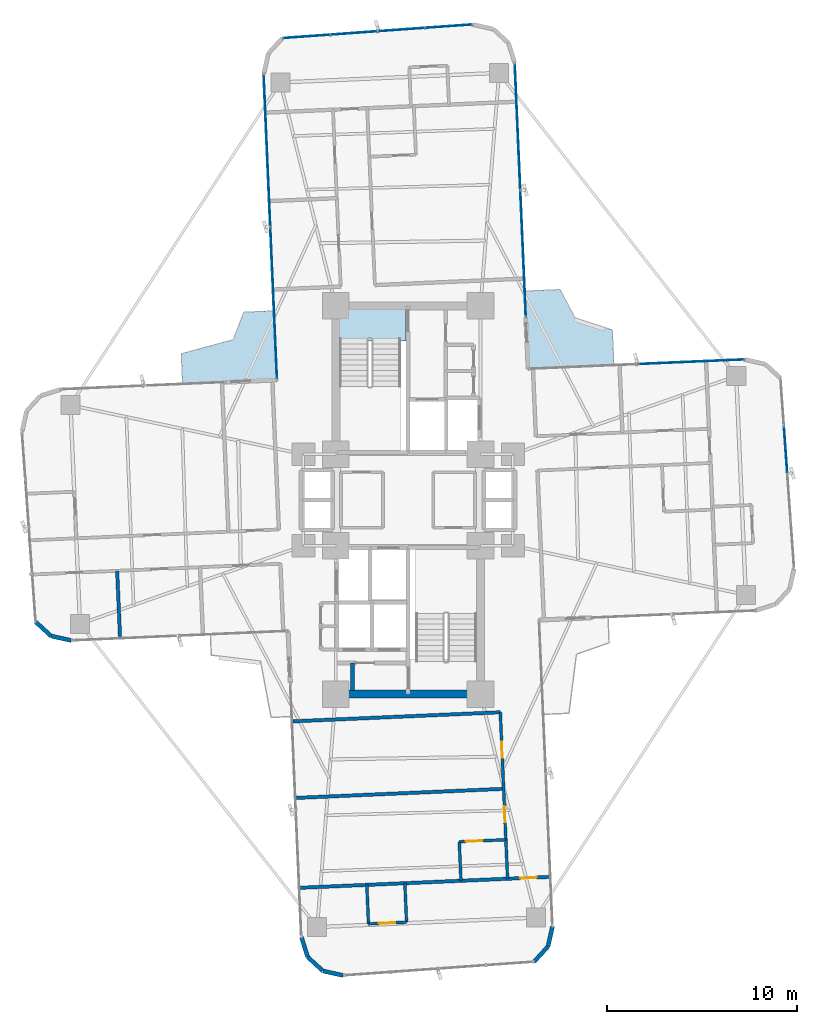
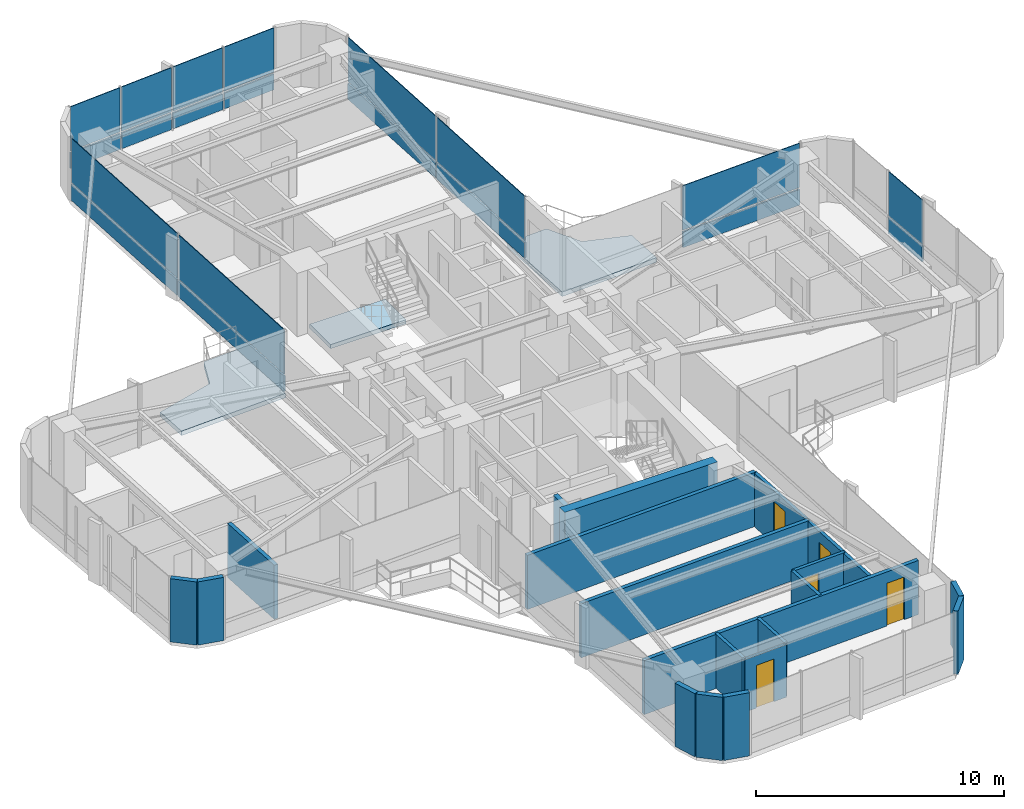
# One storey, part 22 of 27: 20 plates, 19 walls, 5 doors, 3 slabs, 5 openings, 5 elements without a shape of their own.
"""IFC4 building model written with IfcOpenShell, lengths in metres."""

from ifc_helpers import new_model, si_unit, direction, frame, frame_2d, origin, origin_2d, place, context, subcontext, project, spatial, polyline, rectangle, outline, extrude, source, transform, mapped, material, layer, layer_set, type_object, element, fill, aggregate, save


model = new_model("IFC4")

# Units and contexts
model_context = context("Model", 3, precision=1e-05, world=origin(), true_north=direction((0.0, 1.0)))
body_context = subcontext(model_context, "Body", "Model", "MODEL_VIEW")
ifc_project = project(units=[si_unit("LENGTHUNIT", "METRE"), si_unit("AREAUNIT", "SQUARE_METRE"), si_unit("VOLUMEUNIT", "CUBIC_METRE"), si_unit("PLANEANGLEUNIT", "RADIAN"), si_unit("MASSUNIT", "GRAM", prefix="KILO")], contexts=[model_context])

# Site, building, storey
site_placement = place(None, origin())
site = spatial("IfcSite", under=ifc_project, at=site_placement, CompositionType="ELEMENT")
building_placement = place(site_placement, origin())
building = spatial("IfcBuilding", under=site, at=building_placement, Name="Sahyath Konkavel Grand Hotel", CompositionType="ELEMENT")
storey_placement = place(building_placement, frame((0.0, 0.0, 90.199951171875)))
storey = spatial("IfcBuildingStorey", under=building, at=storey_placement, Name="L24", CompositionType="ELEMENT", Elevation=90.199951171875)

# Slabs
ifc_material_1 = material(Name="Concrete C40/50", Category="concrete")
ifc_layer_1 = layer(ifc_material_1, 0.219970703125)
ifc_layer_set_1 = layer_set([ifc_layer_1], Name="Concrete C40/50")
slab_type_1 = type_object("IfcSlabType", Name="SLB-BALCONY-220", PredefinedType="FLOOR", material=ifc_layer_set_1)
slab_1_placement = place(storey_placement, frame((0.0, 0.0, -0.219970703125)))
element("IfcSlab", 1, at=slab_1_placement, inside=storey, type_object=slab_type_1, Name="L24 Winter-Garden Balcony NE", PredefinedType="FLOOR", context=body_context, shape_type="SweptSolid", body=[
    extrude(outline(polyline([(6.305908203125, 6.881591796875), (10.8076171875, 7.078125), (10.7265625, 8.93115234375), (8.76708984375, 9.5673828125), (7.980224609375, 11.052490234375), (6.127197265625, 10.9716796875), (6.305908203125, 6.881591796875)])), origin(), (0.0, 0.0, 1.0), 0.219970703125),
])
slab_2_placement = place(storey_placement, frame((0.0, 0.0, -0.219970703125)))
element("IfcSlab", 2, at=slab_2_placement, inside=storey, type_object=slab_type_1, Name="L24 Winter-Garden Balcony NW", PredefinedType="FLOOR", context=body_context, shape_type="SweptSolid", body=[
    extrude(outline(polyline([(-6.881591796875, 6.305908203125), (-7.0400390625, 9.933349609375), (-8.631103515625, 9.864013671875), (-9.18798828125, 8.419189453125), (-11.915283203125, 7.68017578125), (-11.845947265625, 6.089111328125), (-6.881591796875, 6.305908203125)])), origin(), (0.0, 0.0, 1.0), 0.219970703125),
])
ifc_layer_2 = layer(ifc_material_1, 0.199951171875)
ifc_layer_set_2 = layer_set([ifc_layer_2], Name="Concrete C40/50")
slab_type_2 = type_object("IfcSlabType", Name="SLB-STAIR-LND", PredefinedType="LANDING", material=ifc_layer_set_2)
slab_3_placement = place(storey_placement, frame((0.0, 0.0, -0.199951171875)))
element("IfcSlab", 3, at=slab_3_placement, inside=storey, type_object=slab_type_2, Name="L24 Stair ST-1 Floor Landing Slab", PredefinedType="LANDING", context=body_context, shape_type="SweptSolid", body=[
    extrude(outline(polyline([(-3.6201171875, 8.35009765625), (-0.10009765625, 8.35009765625), (-0.10009765625, 10.02001953125), (-3.6201171875, 10.02001953125), (-3.6201171875, 8.35009765625)])), origin(), (0.0, 0.0, 1.0), 0.199951171875),
])

# Curtain wall, plate
ifc_material_2 = material(Name="Anodised Bronze Aluminium & Low-E Glazing", Category="aluminium")
curtain_wall_type = type_object("IfcCurtainWallType", Name="CW-ZONE2", PredefinedType="NOTDEFINED", material=ifc_material_2)
curtain_wall_1_placement = place(storey_placement, origin())
curtain_wall_1 = element("IfcCurtainWall", 4, at=curtain_wall_1_placement, inside=storey, type_object=curtain_wall_type, Name="L24 Unitised Curtain Wall F4", PredefinedType="NOTDEFINED")
ifc_material_3 = material(Name="Warm Buff Sandstone Cladding", Category="masonry")
ifc_layer_3 = layer(ifc_material_3, 0.074951171875)
ifc_layer_set_3 = layer_set([ifc_layer_3], Name="Warm Buff Sandstone Cladding")
plate_type_1 = type_object("IfcPlateType", Name="PNL-SPANDREL-STONE", PredefinedType="SHEET", material=ifc_layer_set_3)
shared_shape_1 = source(origin(), body_context, "Body", "SweptSolid", [
    extrude(rectangle(XDim=2.41357421875, YDim=0.074951171875, at=origin_2d()), origin(), (0.0, 0.0, 1.0), 0.77001953125),
])
plate_1_placement = place(storey_placement, frame((19.828369140625, 2.638671875, 0.0400390625), z_axis=(0.0, 0.0, 1.0), x_axis=(-0.071567078661, 0.997435789037, 0.0)))
plate_1 = element("IfcPlate", 5, at=plate_1_placement, type_object=plate_type_1, Name="L24 Sandstone Relief Spandrel Panel F4-2", PredefinedType="SHEET", context=body_context, shape_type="MappedRepresentation", body=[
    mapped(shared_shape_1, transform((0.0, 0.0, 0.0), scale=1.0)),
])

# Curtain wall, plates
curtain_wall_2_placement = place(storey_placement, origin())
curtain_wall_2 = element("IfcCurtainWall", 6, at=curtain_wall_2_placement, inside=storey, type_object=curtain_wall_type, Name="L24 Unitised Curtain Wall F12", PredefinedType="NOTDEFINED")
plate_2_placement = place(storey_placement, frame((2.130615234375, 24.880615234375, 0.0400390625), z_axis=(0.0, 0.0, 1.0), x_axis=(-0.997435789037, -0.071567078661, 0.0)))
plate_2 = element("IfcPlate", 7, at=plate_2_placement, type_object=plate_type_1, Name="L24 Sandstone Relief Spandrel Panel F12-0", PredefinedType="SHEET", context=body_context, shape_type="MappedRepresentation", body=[
    mapped(shared_shape_1, transform((0.0, 0.0, 0.0), scale=1.0)),
])
plate_3_placement = place(storey_placement, frame((-0.356689453125, 24.7021484375, 0.0400390625), z_axis=(0.0, 0.0, 1.0), x_axis=(-0.997435789037, -0.071567078661, 0.0)))
plate_3 = element("IfcPlate", 8, at=plate_3_placement, type_object=plate_type_1, Name="L24 Sandstone Relief Spandrel Panel F12-1", PredefinedType="SHEET", context=body_context, shape_type="MappedRepresentation", body=[
    mapped(shared_shape_1, transform((0.0, 0.0, 0.0), scale=1.0)),
])
plate_4_placement = place(storey_placement, frame((-2.84375, 24.523681640625, 0.0400390625), z_axis=(0.0, 0.0, 1.0), x_axis=(-0.997435789037, -0.071567078661, 0.0)))
plate_4 = element("IfcPlate", 9, at=plate_4_placement, type_object=plate_type_1, Name="L24 Sandstone Relief Spandrel Panel F12-2", PredefinedType="SHEET", context=body_context, shape_type="MappedRepresentation", body=[
    mapped(shared_shape_1, transform((0.0, 0.0, 0.0), scale=1.0)),
])
plate_5_placement = place(storey_placement, frame((-5.330810546875, 24.34521484375, 0.0400390625), z_axis=(0.0, 0.0, 1.0), x_axis=(-0.997435789037, -0.071567078661, 0.0)))
plate_5 = element("IfcPlate", 10, at=plate_5_placement, type_object=plate_type_1, Name="L24 Sandstone Relief Spandrel Panel F12-3", PredefinedType="SHEET", context=body_context, shape_type="MappedRepresentation", body=[
    mapped(shared_shape_1, transform((0.0, 0.0, 0.0), scale=1.0)),
])

# Curtain wall, plate
curtain_wall_3_placement = place(storey_placement, origin())
curtain_wall_3 = element("IfcCurtainWall", 11, at=curtain_wall_3_placement, inside=storey, type_object=curtain_wall_type, Name="L24 Unitised Curtain Wall F7", PredefinedType="NOTDEFINED")
shared_shape_2 = source(origin(), body_context, "Body", "SweptSolid", [
    extrude(rectangle(XDim=5.580078125, YDim=0.074951171875, at=origin_2d()), origin(), (0.0, 0.0, 1.0), 0.77001953125),
])
plate_6_placement = place(storey_placement, frame((14.82763671875, 7.25390625, 0.0400390625), z_axis=(0.0, 0.0, 1.0), x_axis=(-0.999048221582, -0.043619387365, 0.0)))
plate_6 = element("IfcPlate", 12, at=plate_6_placement, type_object=plate_type_1, Name="L24 Sandstone Relief Spandrel Panel F7-0", PredefinedType="SHEET", context=body_context, shape_type="MappedRepresentation", body=[
    mapped(shared_shape_2, transform((0.0, 0.0, 0.0), scale=1.0)),
])

# Curtain wall, plates
curtain_wall_4_placement = place(storey_placement, origin())
curtain_wall_4 = element("IfcCurtainWall", 13, at=curtain_wall_4_placement, inside=storey, type_object=curtain_wall_type, Name="L24 Unitised Curtain Wall F8", PredefinedType="NOTDEFINED")
shared_shape_3 = source(origin(), body_context, "Body", "SweptSolid", [
    extrude(rectangle(XDim=6.580078125, YDim=0.074951171875, at=origin_2d()), origin(), (0.0, 0.0, 1.0), 0.77001953125),
])
plate_7_placement = place(storey_placement, frame((6.041015625, 12.94580078125, 0.0400390625), z_axis=(0.0, 0.0, 1.0), x_axis=(-0.043619387365, 0.999048221582, 0.0)))
plate_7 = element("IfcPlate", 14, at=plate_7_placement, type_object=plate_type_1, Name="L24 Sandstone Relief Spandrel Panel F8-0", PredefinedType="SHEET", context=body_context, shape_type="MappedRepresentation", body=[
    mapped(shared_shape_3, transform((0.0, 0.0, 0.0), scale=1.0)),
])
plate_8_placement = place(storey_placement, frame((5.75048828125, 19.599609375, 0.0400390625), z_axis=(0.0, 0.0, 1.0), x_axis=(-0.043619387365, 0.999048221582, 0.0)))
plate_8 = element("IfcPlate", 15, at=plate_8_placement, type_object=plate_type_1, Name="L24 Sandstone Relief Spandrel Panel F8-1", PredefinedType="SHEET", context=body_context, shape_type="MappedRepresentation", body=[
    mapped(shared_shape_3, transform((0.0, 0.0, 0.0), scale=1.0)),
])

curtain_wall_5_placement = place(storey_placement, origin())
curtain_wall_5 = element("IfcCurtainWall", 16, at=curtain_wall_5_placement, inside=storey, type_object=curtain_wall_type, Name="L24 Unitised Curtain Wall F15", PredefinedType="NOTDEFINED")
shared_shape_4 = source(origin(), body_context, "Body", "SweptSolid", [
    extrude(rectangle(XDim=7.929931640625, YDim=0.074951171875, at=origin_2d()), origin(), (0.0, 0.0, 1.0), 0.77001953125),
])
plate_9_placement = place(storey_placement, frame((-7.407470703125, 18.349365234375, 0.0400390625), z_axis=(0.0, 0.0, 1.0), x_axis=(0.043619387365, -0.999048221582, 0.0)))
plate_9 = element("IfcPlate", 17, at=plate_9_placement, type_object=plate_type_1, Name="L24 Sandstone Relief Spandrel Panel F15-0", PredefinedType="SHEET", context=body_context, shape_type="MappedRepresentation", body=[
    mapped(shared_shape_4, transform((0.0, 0.0, 0.0), scale=1.0)),
])
plate_10_placement = place(storey_placement, frame((-7.05810546875, 10.346923828125, 0.0400390625), z_axis=(0.0, 0.0, 1.0), x_axis=(0.043619387365, -0.999048221582, 0.0)))
plate_10 = element("IfcPlate", 18, at=plate_10_placement, type_object=plate_type_1, Name="L24 Sandstone Relief Spandrel Panel F15-1", PredefinedType="SHEET", context=body_context, shape_type="MappedRepresentation", body=[
    mapped(shared_shape_4, transform((0.0, 0.0, 0.0), scale=1.0)),
])

# Plate
ifc_material_4 = material(Name="Low-E Solar Control Double Glazing", Category="glass")
ifc_layer_4 = layer(ifc_material_4, 0.035888671875)
ifc_layer_set_4 = layer_set([ifc_layer_4], Name="Low-E Solar Control Double Glazing")
plate_type_2 = type_object("IfcPlateType", Name="PNL-VISION-LOWE", PredefinedType="CURTAIN_PANEL", material=ifc_layer_set_4)
shared_shape_5 = source(origin(), body_context, "Body", "SweptSolid", [
    extrude(rectangle(XDim=2.41357421875, YDim=0.035888671875, at=origin_2d()), origin(), (0.0, 0.0, 1.0), 2.179931640625),
])
plate_11_placement = place(storey_placement, frame((19.828369140625, 2.638671875, 0.89013671875), z_axis=(0.0, 0.0, 1.0), x_axis=(-0.071567078661, 0.997435789037, 0.0)))
plate_11 = element("IfcPlate", 19, at=plate_11_placement, type_object=plate_type_2, Name="L24 Low-E Vision Glazing Panel F4-2", PredefinedType="CURTAIN_PANEL", context=body_context, shape_type="MappedRepresentation", body=[
    mapped(shared_shape_5, transform((0.0, 0.0, 0.0), scale=1.0)),
])

aggregate(curtain_wall_1, [plate_1, plate_11])

plate_12_placement = place(storey_placement, frame((2.130615234375, 24.880615234375, 0.89013671875), z_axis=(0.0, 0.0, 1.0), x_axis=(-0.997435789037, -0.071567078661, 0.0)))
plate_12 = element("IfcPlate", 20, at=plate_12_placement, type_object=plate_type_2, Name="L24 Low-E Vision Glazing Panel F12-0", PredefinedType="CURTAIN_PANEL", context=body_context, shape_type="MappedRepresentation", body=[
    mapped(shared_shape_5, transform((0.0, 0.0, 0.0), scale=1.0)),
])

plate_13_placement = place(storey_placement, frame((-0.356689453125, 24.7021484375, 0.89013671875), z_axis=(0.0, 0.0, 1.0), x_axis=(-0.997435789037, -0.071567078661, 0.0)))
plate_13 = element("IfcPlate", 21, at=plate_13_placement, type_object=plate_type_2, Name="L24 Low-E Vision Glazing Panel F12-1", PredefinedType="CURTAIN_PANEL", context=body_context, shape_type="MappedRepresentation", body=[
    mapped(shared_shape_5, transform((0.0, 0.0, 0.0), scale=1.0)),
])

plate_14_placement = place(storey_placement, frame((-2.84375, 24.523681640625, 0.89013671875), z_axis=(0.0, 0.0, 1.0), x_axis=(-0.997435789037, -0.071567078661, 0.0)))
plate_14 = element("IfcPlate", 22, at=plate_14_placement, type_object=plate_type_2, Name="L24 Low-E Vision Glazing Panel F12-2", PredefinedType="CURTAIN_PANEL", context=body_context, shape_type="MappedRepresentation", body=[
    mapped(shared_shape_5, transform((0.0, 0.0, 0.0), scale=1.0)),
])

plate_15_placement = place(storey_placement, frame((-5.330810546875, 24.34521484375, 0.89013671875), z_axis=(0.0, 0.0, 1.0), x_axis=(-0.997435789037, -0.071567078661, 0.0)))
plate_15 = element("IfcPlate", 23, at=plate_15_placement, type_object=plate_type_2, Name="L24 Low-E Vision Glazing Panel F12-3", PredefinedType="CURTAIN_PANEL", context=body_context, shape_type="MappedRepresentation", body=[
    mapped(shared_shape_5, transform((0.0, 0.0, 0.0), scale=1.0)),
])

aggregate(curtain_wall_2, [plate_2, plate_12, plate_3, plate_13, plate_4, plate_14, plate_5, plate_15])

shared_shape_6 = source(origin(), body_context, "Body", "SweptSolid", [
    extrude(rectangle(XDim=5.580078125, YDim=0.035888671875, at=origin_2d()), origin(), (0.0, 0.0, 1.0), 2.179931640625),
])
plate_16_placement = place(storey_placement, frame((14.82763671875, 7.25390625, 0.89013671875), z_axis=(0.0, 0.0, 1.0), x_axis=(-0.999048221582, -0.043619387365, 0.0)))
plate_16 = element("IfcPlate", 24, at=plate_16_placement, type_object=plate_type_2, Name="L24 Low-E Vision Glazing Panel F7-0", PredefinedType="CURTAIN_PANEL", context=body_context, shape_type="MappedRepresentation", body=[
    mapped(shared_shape_6, transform((0.0, 0.0, 0.0), scale=1.0)),
])

aggregate(curtain_wall_3, [plate_6, plate_16])

shared_shape_7 = source(origin(), body_context, "Body", "SweptSolid", [
    extrude(rectangle(XDim=6.580078125, YDim=0.035888671875, at=origin_2d()), origin(), (0.0, 0.0, 1.0), 2.179931640625),
])
plate_17_placement = place(storey_placement, frame((6.041015625, 12.94580078125, 0.89013671875), z_axis=(0.0, 0.0, 1.0), x_axis=(-0.043619387365, 0.999048221582, 0.0)))
plate_17 = element("IfcPlate", 25, at=plate_17_placement, type_object=plate_type_2, Name="L24 Low-E Vision Glazing Panel F8-0", PredefinedType="CURTAIN_PANEL", context=body_context, shape_type="MappedRepresentation", body=[
    mapped(shared_shape_7, transform((0.0, 0.0, 0.0), scale=1.0)),
])

plate_18_placement = place(storey_placement, frame((5.75048828125, 19.599609375, 0.89013671875), z_axis=(0.0, 0.0, 1.0), x_axis=(-0.043619387365, 0.999048221582, 0.0)))
plate_18 = element("IfcPlate", 26, at=plate_18_placement, type_object=plate_type_2, Name="L24 Low-E Vision Glazing Panel F8-1", PredefinedType="CURTAIN_PANEL", context=body_context, shape_type="MappedRepresentation", body=[
    mapped(shared_shape_7, transform((0.0, 0.0, 0.0), scale=1.0)),
])

aggregate(curtain_wall_4, [plate_7, plate_17, plate_8, plate_18])

shared_shape_8 = source(origin(), body_context, "Body", "SweptSolid", [
    extrude(rectangle(XDim=7.929931640625, YDim=0.035888671875, at=origin_2d()), origin(), (0.0, 0.0, 1.0), 2.179931640625),
])
plate_19_placement = place(storey_placement, frame((-7.407470703125, 18.349365234375, 0.89013671875), z_axis=(0.0, 0.0, 1.0), x_axis=(0.043619387365, -0.999048221582, 0.0)))
plate_19 = element("IfcPlate", 27, at=plate_19_placement, type_object=plate_type_2, Name="L24 Low-E Vision Glazing Panel F15-0", PredefinedType="CURTAIN_PANEL", context=body_context, shape_type="MappedRepresentation", body=[
    mapped(shared_shape_8, transform((0.0, 0.0, 0.0), scale=1.0)),
])

plate_20_placement = place(storey_placement, frame((-7.05810546875, 10.346923828125, 0.89013671875), z_axis=(0.0, 0.0, 1.0), x_axis=(0.043619387365, -0.999048221582, 0.0)))
plate_20 = element("IfcPlate", 28, at=plate_20_placement, type_object=plate_type_2, Name="L24 Low-E Vision Glazing Panel F15-1", PredefinedType="CURTAIN_PANEL", context=body_context, shape_type="MappedRepresentation", body=[
    mapped(shared_shape_8, transform((0.0, 0.0, 0.0), scale=1.0)),
])

aggregate(curtain_wall_5, [plate_9, plate_19, plate_10, plate_20])

# Walls
ifc_material_5 = material(Name="Concrete C50/60", Category="concrete")
ifc_layer_5 = layer(ifc_material_5, 0.419921875)
ifc_layer_set_5 = layer_set([ifc_layer_5], Name="Concrete C50/60")
wall_type_1 = type_object("IfcWallType", Name="CWALL-420", PredefinedType="SHEAR", material=ifc_layer_set_5)
wall_1_placement = place(storey_placement, frame((-3.550048828125, -10.199951171875, 0.0), z_axis=(0.0, 0.0, 1.0), x_axis=(1.0, 0.0, 0.0)))
element("IfcWall", 29, at=wall_1_placement, inside=storey, type_object=wall_type_1, Name="L24 South Core Shear Wall S", PredefinedType="SHEAR", context=body_context, shape_type="SweptSolid", body=[
    extrude(rectangle(XDim=7.10009765625, YDim=0.419921875, at=frame_2d((3.550048828125, 0.0))), origin(), (0.0, 0.0, 1.0), 3.110107421875),
])
ifc_material_6 = material(Name="Warm Buff Sandstone Insulated Concrete C40/50", Category="masonry")
ifc_layer_6 = layer(ifc_material_6, 0.219970703125)
ifc_layer_set_6 = layer_set([ifc_layer_6], Name="Warm Buff Sandstone Insulated Concrete C40/50")
wall_type_2 = type_object("IfcWallType", Name="WLL-BALC-THRESH", PredefinedType="STANDARD", material=ifc_layer_set_6)
wall_2_placement = place(storey_placement, frame((-19.5576171875, -6.4091796875, 0.0), z_axis=(0.0, 0.0, 1.0), x_axis=(0.737210081318, -0.675663596772, 0.0)))
element("IfcWall", 30, at=wall_2_placement, inside=storey, type_object=wall_type_2, Name="L24 Rounded Corner Sandstone Pier 21", PredefinedType="STANDARD", context=body_context, shape_type="SweptSolid", body=[
    extrude(rectangle(XDim=1.0869140625, YDim=0.219970703125, at=frame_2d((0.54345703125, 0.0))), origin(), (0.0, 0.0, 1.0), 3.110107421875),
])
wall_3_placement = place(storey_placement, frame((-18.75634765625, -7.1435546875, 0.0), z_axis=(0.0, 0.0, 1.0), x_axis=(0.976282085775, -0.216502399514, 0.0)))
element("IfcWall", 31, at=wall_3_placement, inside=storey, type_object=wall_type_2, Name="L24 Rounded Corner Sandstone Pier 22", PredefinedType="STANDARD", context=body_context, shape_type="SweptSolid", body=[
    extrude(rectangle(XDim=1.087158203125, YDim=0.219970703125, at=frame_2d((0.54345703125, 0.0))), origin(), (0.0, 0.0, 1.0), 3.110107421875),
])
wall_4_placement = place(storey_placement, frame((-5.603515625, -22.96630859375, 0.0), z_axis=(0.0, 0.0, 1.0), x_axis=(0.300755105707, -0.953701403161, 0.0)))
element("IfcWall", 32, at=wall_4_placement, inside=storey, type_object=wall_type_2, Name="L24 Rounded Corner Sandstone Pier 25", PredefinedType="STANDARD", context=body_context, shape_type="SweptSolid", body=[
    extrude(rectangle(XDim=1.0869140625, YDim=0.219970703125, at=frame_2d((0.54345703125, 0.0))), origin(), (0.0, 0.0, 1.0), 3.110107421875),
])
wall_5_placement = place(storey_placement, frame((-5.276611328125, -24.0029296875, 0.0), z_axis=(0.0, 0.0, 1.0), x_axis=(0.737312600672, -0.675551721847, 0.0)))
element("IfcWall", 33, at=wall_5_placement, inside=storey, type_object=wall_type_2, Name="L24 Rounded Corner Sandstone Pier 26", PredefinedType="STANDARD", context=body_context, shape_type="SweptSolid", body=[
    extrude(rectangle(XDim=1.087158203125, YDim=0.219970703125, at=frame_2d((0.54345703125, 0.0))), origin(), (0.0, 0.0, 1.0), 3.110107421875),
])
for number, where, z_axis, x_axis, name in (
    (34, (-4.47509765625, -24.7373046875, 0.0), (0.0, 0.0, 1.0), (0.976271555154, -0.216549880158, 0.0), "L24 Rounded Corner Sandstone Pier 27"),
    (35, (6.6142578125, -24.253173828125, 0.0), (0.0, 0.0, 1.0), (0.675663596772, 0.737210081318, 0.0), "L24 Rounded Corner Sandstone Pier 29"),
):
    element("IfcWall", number, at=place(storey_placement, frame(where, z_axis=z_axis, x_axis=x_axis)), inside=storey, type_object=wall_type_2, Name=name, PredefinedType="STANDARD", context=body_context, shape_type="SweptSolid", body=[
        extrude(rectangle(XDim=1.0869140625, YDim=0.219970703125, at=frame_2d((0.54345703125, 0.0))), origin(), (0.0, 0.0, 1.0), 3.110107421875),
    ])
wall_6_placement = place(storey_placement, frame((7.3486328125, -23.451904296875, 0.0), z_axis=(0.0, 0.0, 1.0), x_axis=(0.216454939174, 0.976292609471, 0.0)))
element("IfcWall", 36, at=wall_6_placement, inside=storey, type_object=wall_type_2, Name="L24 Rounded Corner Sandstone Pier 30", PredefinedType="STANDARD", context=body_context, shape_type="SweptSolid", body=[
    extrude(rectangle(XDim=1.08740234375, YDim=0.219970703125, at=frame_2d((0.543701171875, 0.0))), origin(), (0.0, 0.0, 1.0), 3.110107421875),
])
ifc_layer_7 = layer(ifc_material_1, 0.199951171875)
ifc_layer_set_7 = layer_set([ifc_layer_7], Name="Concrete C40/50")
wall_type_3 = type_object("IfcWallType", Name="WLL-CORE-200", PredefinedType="SOLIDWALL", material=ifc_layer_set_7)
wall_7_placement = place(storey_placement, frame((-2.919921875, -10.0, 0.0), z_axis=(0.0, 0.0, 1.0), x_axis=(0.0, 1.0, 0.0)))
element("IfcWall", 37, at=wall_7_placement, inside=storey, type_object=wall_type_3, Name="L24 Partition SFF-W2", PredefinedType="SOLIDWALL", context=body_context, shape_type="SweptSolid", body=[
    extrude(rectangle(XDim=1.43994140625, YDim=0.199951171875, at=frame_2d((0.719970703125, 0.0))), origin(), (0.0, 0.0, 1.0), 2.66015625),
])
ifc_material_7 = material(Name="Twin-Stud Acoustic Gypsum Plasterboard Partition")
ifc_layer_8 = layer(ifc_material_7, 0.179931640625)
ifc_layer_set_8 = layer_set([ifc_layer_8], Name="Twin-Stud Acoustic Gypsum Plasterboard Partition")
wall_type_4 = type_object("IfcWallType", Name="WLL-DEMISE-180", PredefinedType="PARTITIONING", material=ifc_layer_set_8)
wall_8_placement = place(storey_placement, frame((-15.2822265625, -3.72021484375, 0.0), z_axis=(0.0, 0.0, 1.0), x_axis=(0.043597663116, -0.999049169846, 0.0)))
element("IfcWall", 38, at=wall_8_placement, inside=storey, type_object=wall_type_4, Name="L24 Partition W-W2L-DEM", PredefinedType="PARTITIONING", context=body_context, shape_type="SweptSolid", body=[
    extrude(rectangle(XDim=3.5, YDim=0.179931640625, at=frame_2d((1.75, 0.0))), origin(), (0.0, 0.0, 1.0), 2.66015625),
])
for number, where, z_axis, x_axis, name in (
    (39, (-6.048583984375, -11.625, 0.0), (0.0, 0.0, 1.0), (0.999047644663, 0.043632598969, 0.0), "L24 Partition S-G5I"),
    (40, (5.0166015625, -15.170654296875, 0.0), (0.0, 0.0, 1.0), (-0.999048663393, -0.043609267053, 0.0), "L24 Partition S-SD1-DEM"),
):
    element("IfcWall", number, at=place(storey_placement, frame(where, z_axis=z_axis, x_axis=x_axis)), inside=storey, type_object=wall_type_4, Name=name, PredefinedType="PARTITIONING", context=body_context, shape_type="SweptSolid", body=[
        extrude(rectangle(XDim=10.89990234375, YDim=0.179931640625, at=frame_2d((5.449951171875, 0.0))), origin(), (0.0, 0.0, 1.0), 2.66015625),
    ])

# Wall, opening, door
wall_9_placement = place(storey_placement, frame((-5.6669921875, -20.36669921875, 0.0), z_axis=(0.0, 0.0, 1.0), x_axis=(0.999047806124, 0.043628901879, 0.0)))
wall_9 = element("IfcWall", 41, at=wall_9_placement, inside=storey, type_object=wall_type_4, Name="L24 Partition S-STIP-END", PredefinedType="PARTITIONING", context=body_context, shape_type="SweptSolid", body=[
    extrude(rectangle(XDim=13.099853515625, YDim=0.179931640625, at=frame_2d((6.5498046875, 0.0))), origin(), (0.0, 0.0, 1.0), 2.66015625),
])
opening_1_placement = place(wall_9_placement, frame((11.574951171875, 0.0, 0.0)))
opening_1 = element("IfcOpeningElement", 42, at=opening_1_placement, cuts=wall_9, Name="Opening D-F06D", PredefinedType="OPENING", context=body_context, shape_type="SweptSolid", body=[
    extrude(rectangle(XDim=0.85009765625, YDim=2.10009765625, at=frame_2d((0.425048828125, 1.050048828125))), frame((0.0, 0.10009765625, 0.0), z_axis=(0.0, -1.0, 0.0), x_axis=(1.0, 0.0, 0.0)), (0.0, 0.0, 1.0), 0.199951171875),
])
ifc_material_8 = material(Name="Fire-Rated Shaft Access Door")
door_type_1 = type_object("IfcDoorType", Name="DR-FD60-850", OperationType="NOTDEFINED", PredefinedType="DOOR", material=ifc_material_8)
shared_shape_9 = source(origin(), body_context, "Body", "SweptSolid", [
    extrude(rectangle(XDim=0.85009765625, YDim=0.050048828125, at=origin_2d()), origin(), (0.0, 0.0, 1.0), 2.10009765625),
])
door_1_placement = place(opening_1_placement, frame((0.425048828125, 0.0, 0.0)))
door_1 = element("IfcDoor", 43, at=door_1_placement, inside=storey, type_object=door_type_1, Name="L24 Door S-STIP-ED", OperationType="SINGLE_SWING_LEFT", OverallHeight=2.10009765625, OverallWidth=0.85009765625, PredefinedType="DOOR", context=body_context, shape_type="MappedRepresentation", body=[
    mapped(shared_shape_9, transform((0.0, 0.0, 0.0), scale=1.0)),
])
fill(opening_1, door_1)

# Wall, openings, doors
ifc_material_9 = material(Name="Fire-Rated Gypsum Plasterboard Partition")
ifc_layer_9 = layer(ifc_material_9, 0.14990234375)
ifc_layer_set_9 = layer_set([ifc_layer_9], Name="Fire-Rated Gypsum Plasterboard Partition")
wall_type_5 = type_object("IfcWallType", Name="WLL-PART-150", PredefinedType="PARTITIONING", material=ifc_layer_set_9)
wall_10_placement = place(storey_placement, frame((4.8408203125, -11.1494140625, 0.0), z_axis=(0.0, 0.0, 1.0), x_axis=(0.043638220751, -0.999047399121, 0.0)))
wall_10 = element("IfcWall", 44, at=wall_10_placement, inside=storey, type_object=wall_type_5, Name="L24 Partition S-G5W", PredefinedType="PARTITIONING", context=body_context, shape_type="SweptSolid", body=[
    extrude(rectangle(XDim=8.75, YDim=0.14990234375, at=frame_2d((4.375, 0.0))), origin(), (0.0, 0.0, 1.0), 2.630126953125),
])
opening_2_placement = place(wall_10_placement, frame((1.5380859375, 0.0, 0.0)))
opening_2 = element("IfcOpeningElement", 45, at=opening_2_placement, cuts=wall_10, Name="Opening D-F06D", PredefinedType="OPENING", context=body_context, shape_type="SweptSolid", body=[
    extrude(rectangle(XDim=0.85009765625, YDim=2.10009765625, at=frame_2d((0.425048828125, 1.050048828125))), frame((0.0, 0.0849609375, 0.0), z_axis=(0.0, -1.0, 0.0), x_axis=(1.0, 0.0, 0.0)), (0.0, 0.0, 1.0), 0.169921875),
])
opening_3_placement = place(wall_10_placement, frame((4.93701171875, 0.0, 0.0)))
opening_3 = element("IfcOpeningElement", 46, at=opening_3_placement, cuts=wall_10, Name="Opening D-F06D", PredefinedType="OPENING", context=body_context, shape_type="SweptSolid", body=[
    extrude(rectangle(XDim=0.85009765625, YDim=2.10009765625, at=frame_2d((0.425048828125, 1.050048828125))), frame((0.0, 0.0849609375, 0.0), z_axis=(0.0, -1.0, 0.0), x_axis=(1.0, 0.0, 0.0)), (0.0, 0.0, 1.0), 0.169921875),
])
door_2_placement = place(opening_2_placement, frame((0.425048828125, 0.0, 0.0)))
door_2 = element("IfcDoor", 47, at=door_2_placement, inside=storey, type_object=door_type_1, Name="L24 Door S-SD1-D", OperationType="SINGLE_SWING_LEFT", OverallHeight=2.10009765625, OverallWidth=0.85009765625, PredefinedType="DOOR", context=body_context, shape_type="MappedRepresentation", body=[
    mapped(shared_shape_9, transform((0.0, 0.0, 0.0), scale=1.0)),
])
fill(opening_2, door_2)
door_3_placement = place(opening_3_placement, frame((0.425048828125, 0.0, 0.0)))
door_3 = element("IfcDoor", 48, at=door_3_placement, inside=storey, type_object=door_type_1, Name="L24 Door S-SD2-ED", OperationType="SINGLE_SWING_LEFT", OverallHeight=2.10009765625, OverallWidth=0.85009765625, PredefinedType="DOOR", context=body_context, shape_type="MappedRepresentation", body=[
    mapped(shared_shape_9, transform((0.0, 0.0, 0.0), scale=1.0)),
])
fill(opening_3, door_3)

# Wall, opening, door
wall_11_placement = place(storey_placement, frame((5.13330078125, -17.843017578125, 0.0), z_axis=(0.0, 0.0, 1.0), x_axis=(-0.999047112283, -0.043644787072, 0.0)))
wall_11 = element("IfcWall", 49, at=wall_11_placement, inside=storey, type_object=wall_type_5, Name="L24 Partition S-SD2-BS", PredefinedType="PARTITIONING", context=body_context, shape_type="SweptSolid", body=[
    extrude(rectangle(XDim=2.4501953125, YDim=0.14990234375, at=frame_2d((1.22509765625, 0.0))), origin(), (0.0, 0.0, 1.0), 2.66015625),
])
opening_4_placement = place(wall_11_placement, frame((1.25, 0.0, 0.0)))
opening_4 = element("IfcOpeningElement", 50, at=opening_4_placement, cuts=wall_11, Name="Opening D-BT85", PredefinedType="OPENING", context=body_context, shape_type="SweptSolid", body=[
    extrude(rectangle(XDim=0.85009765625, YDim=2.10009765625, at=frame_2d((0.425048828125, 1.050048828125))), frame((0.0, 0.0849609375, 0.0), z_axis=(0.0, -1.0, 0.0), x_axis=(1.0, 0.0, 0.0)), (0.0, 0.0, 1.0), 0.169921875),
])
ifc_material_10 = material(Name="Moisture-Resistant Teak Bathroom Door")
door_type_2 = type_object("IfcDoorType", Name="DR-BATH-850", OperationType="NOTDEFINED", PredefinedType="DOOR", material=ifc_material_10)
door_4_placement = place(opening_4_placement, frame((0.425048828125, 0.0, 0.0)))
door_4 = element("IfcDoor", 51, at=door_4_placement, inside=storey, type_object=door_type_2, Name="L24 Door S-SD2-BD", OperationType="SINGLE_SWING_RIGHT", OverallHeight=2.10009765625, OverallWidth=0.85009765625, PredefinedType="DOOR", context=body_context, shape_type="MappedRepresentation", body=[
    mapped(shared_shape_9, transform((0.0, 0.0, 0.0), scale=1.0)),
])
fill(opening_4, door_4)

# Walls
for number, where, z_axis, x_axis, name in (
    (52, (2.685546875, -17.949951171875, 0.0), (0.0, 0.0, 1.0), (0.043587097972, -0.999049630844, 0.0), "L24 Partition S-SD2-BF"),
    (53, (-0.17236328125, -20.126708984375, 0.0), (0.0, 0.0, 1.0), (0.043705961225, -0.999044437927, 0.0), "L24 Partition S-STIP-BN"),
    (54, (-2.17041015625, -20.2138671875, 0.0), (0.0, 0.0, 1.0), (0.043705961225, -0.999044437927, 0.0), "L24 Partition S-STIP-BS"),
):
    element("IfcWall", number, at=place(storey_placement, frame(where, z_axis=z_axis, x_axis=x_axis)), inside=storey, type_object=wall_type_5, Name=name, PredefinedType="PARTITIONING", context=body_context, shape_type="SweptSolid", body=[
        extrude(rectangle(XDim=2.050048828125, YDim=0.14990234375, at=frame_2d((1.02490234375, 0.0))), origin(), (0.0, 0.0, 1.0), 2.66015625),
    ])

# Wall, opening, door
wall_12_placement = place(storey_placement, frame((-2.080810546875, -22.261962890625, 0.0), z_axis=(0.0, 0.0, 1.0), x_axis=(0.999049929275, 0.043580257179, 0.0)))
wall_12 = element("IfcWall", 55, at=wall_12_placement, inside=storey, type_object=wall_type_5, Name="L24 Partition S-STIP-BE", PredefinedType="PARTITIONING", context=body_context, shape_type="SweptSolid", body=[
    extrude(rectangle(XDim=2.0, YDim=0.14990234375, at=frame_2d((1.0, 0.0))), origin(), (0.0, 0.0, 1.0), 2.580078125),
])
opening_5_placement = place(wall_12_placement, frame((0.550048828125, 0.0, 0.0)))
opening_5 = element("IfcOpeningElement", 56, at=opening_5_placement, cuts=wall_12, Name="Opening D-BT85", PredefinedType="OPENING", context=body_context, shape_type="SweptSolid", body=[
    extrude(rectangle(XDim=0.85009765625, YDim=2.10009765625, at=frame_2d((0.425048828125, 1.050048828125))), frame((0.0, 0.0849609375, 0.0), z_axis=(0.0, -1.0, 0.0), x_axis=(1.0, 0.0, 0.0)), (0.0, 0.0, 1.0), 0.169921875),
])
door_5_placement = place(opening_5_placement, frame((0.425048828125, 0.0, 0.0)))
door_5 = element("IfcDoor", 57, at=door_5_placement, inside=storey, type_object=door_type_2, Name="L24 Door S-STIP-BD", OperationType="SINGLE_SWING_RIGHT", OverallHeight=2.10009765625, OverallWidth=0.85009765625, PredefinedType="DOOR", context=body_context, shape_type="MappedRepresentation", body=[
    mapped(shared_shape_9, transform((0.0, 0.0, 0.0), scale=1.0)),
])
fill(opening_5, door_5)

save(model, "model.ifc")
